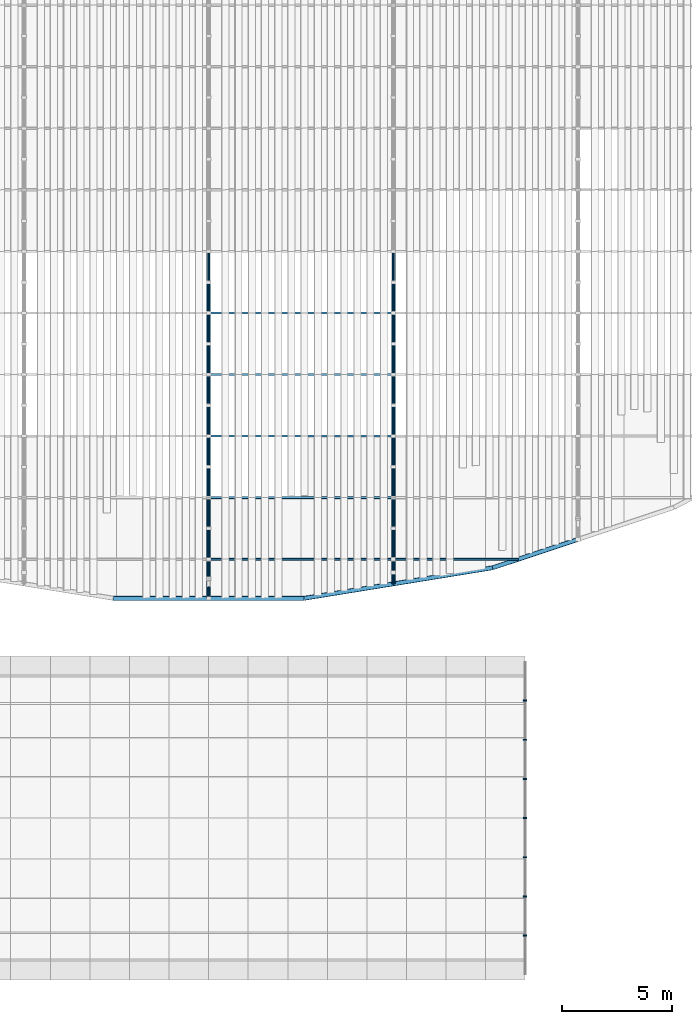
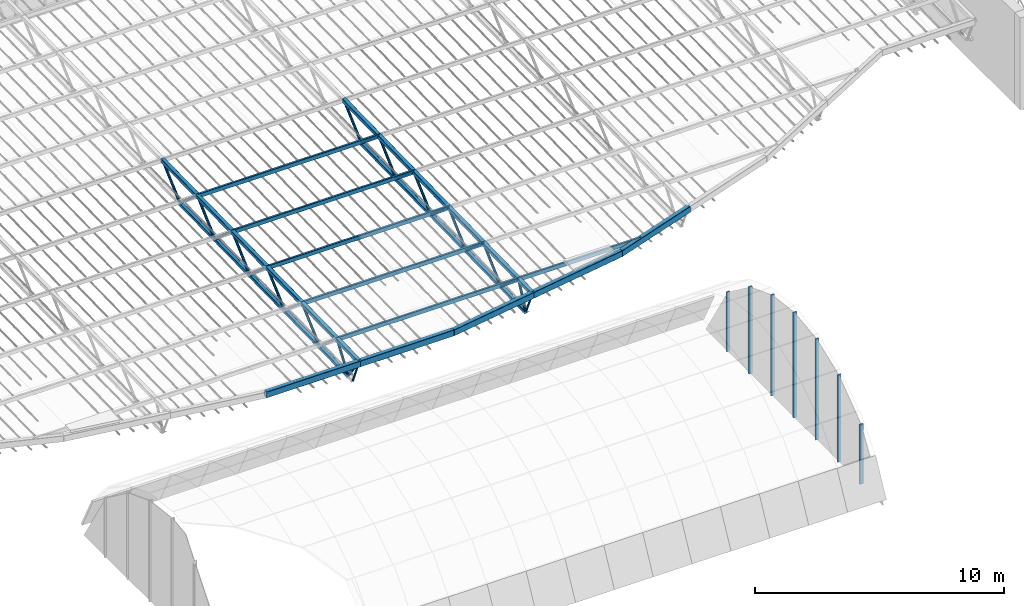
# One storey, part 26 of 129: 60 members, 5 beams, 1 element without a shape of its own.
"""IFC4 building model written with IfcOpenShell, lengths in metres."""

from ifc_helpers import new_model, si_unit, direction, frame, origin, origin_2d, place, context, subcontext, project, spatial, rectangle, hollow_rectangle, hollow_circle, extrude, material, layer, layer_set, material_profile, profile_set, type_object, element, aggregate, save


model = new_model("IFC4")

# Units and contexts
model_context = context("Model", 3, precision=1e-05, world=origin(), true_north=direction((0.0, 1.0)))
body_context = subcontext(model_context, "Body", "Model", "MODEL_VIEW")
ifc_project = project(units=[si_unit("LENGTHUNIT", "METRE"), si_unit("AREAUNIT", "SQUARE_METRE"), si_unit("VOLUMEUNIT", "CUBIC_METRE"), si_unit("PLANEANGLEUNIT", "RADIAN"), si_unit("MASSUNIT", "GRAM", prefix="KILO")], contexts=[model_context])

# Site, building, storey
site_placement = place(None, origin())
site = spatial("IfcSite", under=ifc_project, at=site_placement, CompositionType="ELEMENT")
building_placement = place(site_placement, origin())
building = spatial("IfcBuilding", under=site, at=building_placement, Name="Ardhachandra Cancer Care Centre", CompositionType="ELEMENT")
storey_placement = place(building_placement, frame((0.0, 0.0, 4.5)))
storey = spatial("IfcBuildingStorey", under=building, at=storey_placement, Name="L01", CompositionType="ELEMENT", Elevation=4.5)

# Members
ifc_material_1 = material(Name="Steel E350 (IS 2062)", Category="steel")
ifc_material_profile_1 = material_profile(ifc_material_1, hollow_rectangle(XDim=0.10009765625, YDim=0.199951171875, WallThickness=0.006103515625, InnerFilletRadius=0.006103515625, OuterFilletRadius=0.011962890625, at=origin_2d()), Name="RHS 200x100x6.0")
ifc_profile_set_1 = profile_set([ifc_material_profile_1], Name="Steel E350 (IS 2062)")
member_type_1 = type_object("IfcMemberType", Name="Canopy purlin RHS 200x100x6.0", PredefinedType="PURLIN", material=ifc_profile_set_1)
for number, where, z_axis, x_axis, name in (
    (1, (78.0, 37.375, 2.507568359375), (1.0, 0.0, 0.0), (0.0, 1.0, 0.0), "Canopy purlin 6-5"),
    (2, (78.0, 34.574951171875, 2.451416015625), (1.0, 0.0, 0.0), (0.0, 1.0, 0.0), "Canopy purlin 7-5"),
    (3, (78.0, 31.77490234375, 2.3955078125), (1.0, 0.0, 0.0), (0.0, 1.0, 0.0), "Canopy purlin 8-5"),
    (4, (78.0, 28.97509765625, 2.339599609375), (1.0, 0.0, 0.0), (0.0, 1.0, 0.0), "Canopy purlin 9-5"),
    (5, (78.0, 26.175048828125, 2.283447265625), (1.0, 0.0, 0.0), (0.0, 1.0, 0.0), "Canopy purlin 10-5"),
):
    element("IfcMember", number, at=place(storey_placement, frame(where, z_axis=z_axis, x_axis=x_axis)), inside=storey, type_object=member_type_1, Name=name, PredefinedType="PURLIN", context=body_context, shape_type="SweptSolid", body=[
        extrude(hollow_rectangle(XDim=0.10009765625, YDim=0.199951171875, WallThickness=0.006103515625, InnerFilletRadius=0.006103515625, OuterFilletRadius=0.011962890625, at=origin_2d()), origin(), (0.0, 0.0, 1.0), 8.39990234375),
    ])
member_1_placement = place(storey_placement, frame((86.39990234375, 26.175048828125, 2.283447265625), z_axis=(1.0, 0.0, 0.0), x_axis=(0.0, 1.0, 0.0)))
element("IfcMember", 6, at=member_1_placement, inside=storey, type_object=member_type_1, Name="Canopy purlin 10-6", PredefinedType="PURLIN", context=body_context, shape_type="SweptSolid", body=[
    extrude(hollow_rectangle(XDim=0.10009765625, YDim=0.199951171875, WallThickness=0.006103515625, InnerFilletRadius=0.006103515625, OuterFilletRadius=0.011962890625, at=origin_2d()), origin(), (0.0, 0.0, 1.0), 5.69091796875),
])

# Beams
ifc_material_2 = material(Name="Steel E350 (IS 2062)", Category="steel")
ifc_material_profile_2 = material_profile(ifc_material_2, hollow_rectangle(XDim=0.199951171875, YDim=0.300048828125, WallThickness=0.010009765625, InnerFilletRadius=0.010009765625, OuterFilletRadius=0.02001953125, at=origin_2d()), Name="RHS 300x200x10.0")
ifc_profile_set_2 = profile_set([ifc_material_profile_2], Name="Steel E350 (IS 2062)")
beam_type = type_object("IfcBeamType", Name="Canopy ring and eave beam RHS 300x200x10.0", PredefinedType="BEAM", material=ifc_profile_set_2)
for number, where, z_axis, x_axis, name in (
    (7, (73.65625, 24.396728515625, 2.197998046875), (1.0, 0.0, 0.0), (0.0, 1.0, 0.0), "Canopy ring beam 8"),
    (8, (78.0, 24.396728515625, 2.197998046875), (1.0, 0.0, 0.0), (0.0, 1.0, 0.0), "Canopy ring beam 9"),
):
    element("IfcBeam", number, at=place(storey_placement, frame(where, z_axis=z_axis, x_axis=x_axis)), inside=storey, type_object=beam_type, Name=name, PredefinedType="BEAM", context=body_context, shape_type="SweptSolid", body=[
        extrude(hollow_rectangle(XDim=0.199951171875, YDim=0.300048828125, WallThickness=0.010009765625, InnerFilletRadius=0.010009765625, OuterFilletRadius=0.02001953125, at=origin_2d()), origin(), (0.0, 0.0, 1.0), 4.34375),
    ])
beam_1_placement = place(storey_placement, frame((82.34375, 24.396728515625, 2.197998046875), z_axis=(0.987130066718, 0.159887264328, 0.003208440087), x_axis=(-0.159888087281, 0.987135147559, 0.0)))
element("IfcBeam", 9, at=beam_1_placement, inside=storey, type_object=beam_type, Name="Canopy ring beam 10", PredefinedType="BEAM", context=body_context, shape_type="SweptSolid", body=[
    extrude(hollow_rectangle(XDim=0.199951171875, YDim=0.300048828125, WallThickness=0.010009765625, InnerFilletRadius=0.010009765625, OuterFilletRadius=0.02001953125, at=origin_2d()), origin(), (0.0, 0.0, 1.0), 4.109130859375),
])
beam_2_placement = place(storey_placement, frame((86.39990234375, 25.0537109375, 2.211181640625), z_axis=(0.987137740135, 0.15984007264, 0.003198934076), x_axis=(-0.159840890482, 0.987142790953, 0.0)))
element("IfcBeam", 10, at=beam_2_placement, inside=storey, type_object=beam_type, Name="Canopy ring beam 11", PredefinedType="BEAM", context=body_context, shape_type="SweptSolid", body=[
    extrude(hollow_rectangle(XDim=0.199951171875, YDim=0.300048828125, WallThickness=0.010009765625, InnerFilletRadius=0.010009765625, OuterFilletRadius=0.02001953125, at=origin_2d()), origin(), (0.0, 0.0, 1.0), 4.5791015625),
])
beam_3_placement = place(storey_placement, frame((90.920166015625, 25.78564453125, 2.225830078125), z_axis=(0.948867463655, 0.315612472494, 0.006269260237), x_axis=(-0.315618675034, 0.948886111169, 0.0)))
element("IfcBeam", 11, at=beam_3_placement, inside=storey, type_object=beam_type, Name="Canopy ring beam 12", PredefinedType="BEAM", context=body_context, shape_type="SweptSolid", body=[
    extrude(hollow_rectangle(XDim=0.199951171875, YDim=0.300048828125, WallThickness=0.010009765625, InnerFilletRadius=0.010009765625, OuterFilletRadius=0.02001953125, at=origin_2d()), origin(), (0.0, 0.0, 1.0), 4.0888671875),
])

# Members
ifc_material_3 = material(Name="Steel E350 (IS 2062)", Category="steel")
ifc_material_profile_3 = material_profile(ifc_material_3, hollow_rectangle(XDim=0.14990234375, YDim=0.14990234375, WallThickness=0.006103515625, InnerFilletRadius=0.006103515625, OuterFilletRadius=0.011962890625, at=origin_2d()), Name="SHS 150x150x6.0")
ifc_profile_set_3 = profile_set([ifc_material_profile_3], Name="Steel E350 (IS 2062)")
member_type_2 = type_object("IfcMemberType", Name="Canopy truss bottom chord SHS 150x150x6.0", PredefinedType="CHORD", material=ifc_profile_set_3)
member_2_placement = place(storey_placement, frame((78.0, 38.77490234375, 1.310546875), z_axis=(0.0, -0.999798942946, -0.020051775103), x_axis=(1.0, 0.0, 0.0)))
element("IfcMember", 12, at=member_2_placement, inside=storey, type_object=member_type_2, Name="Canopy truss 5 bottom chord BC18", PredefinedType="CHORD", context=body_context, shape_type="SweptSolid", body=[
    extrude(hollow_rectangle(XDim=0.14990234375, YDim=0.14990234375, WallThickness=0.006103515625, InnerFilletRadius=0.006103515625, OuterFilletRadius=0.011962890625, at=origin_2d()), origin(), (0.0, 0.0, 1.0), 2.80029296875),
])
for number, where, z_axis, x_axis, name in (
    (13, (78.0, 35.97509765625, 1.25439453125), (0.0, -0.999800721691, -0.019962888244), (1.0, 0.0, 0.0), "Canopy truss 5 bottom chord BC19"),
    (14, (78.0, 33.175048828125, 1.198486328125), (0.0, -0.999800721691, -0.019962888244), (1.0, 0.0, 0.0), "Canopy truss 5 bottom chord BC20"),
    (15, (78.0, 30.375, 1.142578125), (0.0, -0.999798977995, -0.02005002746), (1.0, 0.0, 0.0), "Canopy truss 5 bottom chord BC21"),
):
    element("IfcMember", number, at=place(storey_placement, frame(where, z_axis=z_axis, x_axis=x_axis)), inside=storey, type_object=member_type_2, Name=name, PredefinedType="CHORD", context=body_context, shape_type="SweptSolid", body=[
        extrude(hollow_rectangle(XDim=0.14990234375, YDim=0.14990234375, WallThickness=0.006103515625, InnerFilletRadius=0.006103515625, OuterFilletRadius=0.011962890625, at=origin_2d()), origin(), (0.0, 0.0, 1.0), 2.800537109375),
    ])
member_3_placement = place(storey_placement, frame((78.0, 27.574951171875, 1.08642578125), z_axis=(0.0, -0.999801166995, -0.019940573616), x_axis=(1.0, 0.0, 0.0)))
element("IfcMember", 16, at=member_3_placement, inside=storey, type_object=member_type_2, Name="Canopy truss 5 bottom chord BC22", PredefinedType="CHORD", context=body_context, shape_type="SweptSolid", body=[
    extrude(hollow_rectangle(XDim=0.14990234375, YDim=0.14990234375, WallThickness=0.006103515625, InnerFilletRadius=0.006103515625, OuterFilletRadius=0.011962890625, at=origin_2d()), origin(), (0.0, 0.0, 1.0), 2.28955078125),
])
member_4_placement = place(storey_placement, frame((86.39990234375, 38.77490234375, 1.310546875), z_axis=(0.0, -0.999798942946, -0.020051775103), x_axis=(1.0, 0.0, 0.0)))
element("IfcMember", 17, at=member_4_placement, inside=storey, type_object=member_type_2, Name="Canopy truss 6 bottom chord BC18", PredefinedType="CHORD", context=body_context, shape_type="SweptSolid", body=[
    extrude(hollow_rectangle(XDim=0.14990234375, YDim=0.14990234375, WallThickness=0.006103515625, InnerFilletRadius=0.006103515625, OuterFilletRadius=0.011962890625, at=origin_2d()), origin(), (0.0, 0.0, 1.0), 2.80029296875),
])
for number, where, z_axis, x_axis, name in (
    (18, (86.39990234375, 35.97509765625, 1.25439453125), (0.0, -0.999800721691, -0.019962888244), (1.0, 0.0, 0.0), "Canopy truss 6 bottom chord BC19"),
    (19, (86.39990234375, 33.175048828125, 1.198486328125), (0.0, -0.999800721691, -0.019962888244), (1.0, 0.0, 0.0), "Canopy truss 6 bottom chord BC20"),
    (20, (86.39990234375, 30.375, 1.142578125), (0.0, -0.999798977995, -0.02005002746), (1.0, 0.0, 0.0), "Canopy truss 6 bottom chord BC21"),
):
    element("IfcMember", number, at=place(storey_placement, frame(where, z_axis=z_axis, x_axis=x_axis)), inside=storey, type_object=member_type_2, Name=name, PredefinedType="CHORD", context=body_context, shape_type="SweptSolid", body=[
        extrude(hollow_rectangle(XDim=0.14990234375, YDim=0.14990234375, WallThickness=0.006103515625, InnerFilletRadius=0.006103515625, OuterFilletRadius=0.011962890625, at=origin_2d()), origin(), (0.0, 0.0, 1.0), 2.800537109375),
    ])
member_5_placement = place(storey_placement, frame((86.39990234375, 27.574951171875, 1.08642578125), z_axis=(0.0, -0.999801418057, -0.019927981595), x_axis=(1.0, 0.0, 0.0)))
element("IfcMember", 21, at=member_5_placement, inside=storey, type_object=member_type_2, Name="Canopy truss 6 bottom chord BC22", PredefinedType="CHORD", context=body_context, shape_type="SweptSolid", body=[
    extrude(hollow_rectangle(XDim=0.14990234375, YDim=0.14990234375, WallThickness=0.006103515625, InnerFilletRadius=0.006103515625, OuterFilletRadius=0.011962890625, at=origin_2d()), origin(), (0.0, 0.0, 1.0), 2.00927734375),
])
ifc_material_4 = material(Name="Steel E350 (IS 2062)", Category="steel")
ifc_material_profile_4 = material_profile(ifc_material_4, hollow_circle(Radius=0.05712890625, WallThickness=0.0048828125, at=origin_2d()), Name="CHS 114.3x5.0")
ifc_profile_set_4 = profile_set([ifc_material_profile_4], Name="Steel E350 (IS 2062)")
member_type_3 = type_object("IfcMemberType", Name="Canopy truss diagonal CHS 114.3x5.0", PredefinedType="BRACE", material=ifc_profile_set_4)
member_6_placement = place(storey_placement, frame((78.0, 40.175048828125, 2.573486328125), z_axis=(0.0, -0.742553308775, -0.669786968839), x_axis=(1.0, 0.0, 0.0)))
element("IfcMember", 22, at=member_6_placement, inside=storey, type_object=member_type_3, Name="Canopy truss 5 web diagonal WD34", PredefinedType="BRACE", context=body_context, shape_type="SweptSolid", body=[
    extrude(hollow_circle(Radius=0.05712890625, WallThickness=0.0048828125, at=origin_2d()), origin(), (0.0, 0.0, 1.0), 1.885498046875),
])
member_7_placement = place(storey_placement, frame((78.0, 38.77490234375, 1.310546875), z_axis=(0.0, -0.757351396119, 0.653007551868), x_axis=(1.0, 0.0, 0.0)))
element("IfcMember", 23, at=member_7_placement, inside=storey, type_object=member_type_3, Name="Canopy truss 5 web diagonal WD35", PredefinedType="BRACE", context=body_context, shape_type="SweptSolid", body=[
    extrude(hollow_circle(Radius=0.05712890625, WallThickness=0.0048828125, at=origin_2d()), origin(), (0.0, 0.0, 1.0), 1.848388671875),
])
member_8_placement = place(storey_placement, frame((78.0, 37.375, 2.517578125), z_axis=(0.0, -0.742430813776, -0.669922746857), x_axis=(1.0, 0.0, 0.0)))
element("IfcMember", 24, at=member_8_placement, inside=storey, type_object=member_type_3, Name="Canopy truss 5 web diagonal WD36", PredefinedType="BRACE", context=body_context, shape_type="SweptSolid", body=[
    extrude(hollow_circle(Radius=0.05712890625, WallThickness=0.0048828125, at=origin_2d()), origin(), (0.0, 0.0, 1.0), 1.885498046875),
])
member_9_placement = place(storey_placement, frame((78.0, 35.97509765625, 1.25439453125), z_axis=(0.0, -0.75740770942, 0.65294223459), x_axis=(1.0, 0.0, 0.0)))
element("IfcMember", 25, at=member_9_placement, inside=storey, type_object=member_type_3, Name="Canopy truss 5 web diagonal WD37", PredefinedType="BRACE", context=body_context, shape_type="SweptSolid", body=[
    extrude(hollow_circle(Radius=0.05712890625, WallThickness=0.0048828125, at=origin_2d()), origin(), (0.0, 0.0, 1.0), 1.8486328125),
])
member_10_placement = place(storey_placement, frame((78.0, 34.574951171875, 2.46142578125), z_axis=(0.0, -0.742495214915, -0.669851368461), x_axis=(1.0, 0.0, 0.0)))
element("IfcMember", 26, at=member_10_placement, inside=storey, type_object=member_type_3, Name="Canopy truss 5 web diagonal WD38", PredefinedType="BRACE", context=body_context, shape_type="SweptSolid", body=[
    extrude(hollow_circle(Radius=0.05712890625, WallThickness=0.0048828125, at=origin_2d()), origin(), (0.0, 0.0, 1.0), 1.885498046875),
])
member_11_placement = place(storey_placement, frame((78.0, 33.175048828125, 1.198486328125), z_axis=(0.0, -0.75740770942, 0.65294223459), x_axis=(1.0, 0.0, 0.0)))
element("IfcMember", 27, at=member_11_placement, inside=storey, type_object=member_type_3, Name="Canopy truss 5 web diagonal WD39", PredefinedType="BRACE", context=body_context, shape_type="SweptSolid", body=[
    extrude(hollow_circle(Radius=0.05712890625, WallThickness=0.0048828125, at=origin_2d()), origin(), (0.0, 0.0, 1.0), 1.8486328125),
])
member_12_placement = place(storey_placement, frame((78.0, 31.77490234375, 2.405517578125), z_axis=(0.0, -0.742495214915, -0.669851368461), x_axis=(1.0, 0.0, 0.0)))
element("IfcMember", 28, at=member_12_placement, inside=storey, type_object=member_type_3, Name="Canopy truss 5 web diagonal WD40", PredefinedType="BRACE", context=body_context, shape_type="SweptSolid", body=[
    extrude(hollow_circle(Radius=0.05712890625, WallThickness=0.0048828125, at=origin_2d()), origin(), (0.0, 0.0, 1.0), 1.885498046875),
])
member_13_placement = place(storey_placement, frame((78.0, 30.375, 1.142578125), z_axis=(0.0, -0.757351396119, 0.653007551868), x_axis=(1.0, 0.0, 0.0)))
element("IfcMember", 29, at=member_13_placement, inside=storey, type_object=member_type_3, Name="Canopy truss 5 web diagonal WD41", PredefinedType="BRACE", context=body_context, shape_type="SweptSolid", body=[
    extrude(hollow_circle(Radius=0.05712890625, WallThickness=0.0048828125, at=origin_2d()), origin(), (0.0, 0.0, 1.0), 1.848388671875),
])
member_14_placement = place(storey_placement, frame((78.0, 28.97509765625, 2.349609375), z_axis=(0.0, -0.742488914979, -0.669858351544), x_axis=(1.0, 0.0, 0.0)))
element("IfcMember", 30, at=member_14_placement, inside=storey, type_object=member_type_3, Name="Canopy truss 5 web diagonal WD42", PredefinedType="BRACE", context=body_context, shape_type="SweptSolid", body=[
    extrude(hollow_circle(Radius=0.05712890625, WallThickness=0.0048828125, at=origin_2d()), origin(), (0.0, 0.0, 1.0), 1.8857421875),
])
member_15_placement = place(storey_placement, frame((78.0, 27.574951171875, 1.08642578125), z_axis=(0.0, -0.757351396119, 0.653007551868), x_axis=(1.0, 0.0, 0.0)))
element("IfcMember", 31, at=member_15_placement, inside=storey, type_object=member_type_3, Name="Canopy truss 5 web diagonal WD43", PredefinedType="BRACE", context=body_context, shape_type="SweptSolid", body=[
    extrude(hollow_circle(Radius=0.05712890625, WallThickness=0.0048828125, at=origin_2d()), origin(), (0.0, 0.0, 1.0), 1.848388671875),
])
member_16_placement = place(storey_placement, frame((78.0, 26.175048828125, 2.29345703125), z_axis=(0.0, -0.57881519441, -0.815458748632), x_axis=(1.0, 0.0, 0.0)))
element("IfcMember", 32, at=member_16_placement, inside=storey, type_object=member_type_3, Name="Canopy truss 5 web diagonal WD44", PredefinedType="BRACE", context=body_context, shape_type="SweptSolid", body=[
    extrude(hollow_circle(Radius=0.05712890625, WallThickness=0.0048828125, at=origin_2d()), origin(), (0.0, 0.0, 1.0), 1.5361328125),
])
member_17_placement = place(storey_placement, frame((78.0, 25.285888671875, 1.040771484375), z_axis=(0.0, -0.589923178712, 0.807459375584), x_axis=(1.0, 0.0, 0.0)))
element("IfcMember", 33, at=member_17_placement, inside=storey, type_object=member_type_3, Name="Canopy truss 5 web diagonal WD45", PredefinedType="BRACE", context=body_context, shape_type="SweptSolid", body=[
    extrude(hollow_circle(Radius=0.05712890625, WallThickness=0.0048828125, at=origin_2d()), origin(), (0.0, 0.0, 1.0), 1.50732421875),
])
member_18_placement = place(storey_placement, frame((86.39990234375, 40.175048828125, 2.573486328125), z_axis=(0.0, -0.742553308775, -0.669786968839), x_axis=(1.0, 0.0, 0.0)))
element("IfcMember", 34, at=member_18_placement, inside=storey, type_object=member_type_3, Name="Canopy truss 6 web diagonal WD33", PredefinedType="BRACE", context=body_context, shape_type="SweptSolid", body=[
    extrude(hollow_circle(Radius=0.05712890625, WallThickness=0.0048828125, at=origin_2d()), origin(), (0.0, 0.0, 1.0), 1.885498046875),
])
member_19_placement = place(storey_placement, frame((86.39990234375, 38.77490234375, 1.310546875), z_axis=(0.0, -0.757351396119, 0.653007551868), x_axis=(1.0, 0.0, 0.0)))
element("IfcMember", 35, at=member_19_placement, inside=storey, type_object=member_type_3, Name="Canopy truss 6 web diagonal WD34", PredefinedType="BRACE", context=body_context, shape_type="SweptSolid", body=[
    extrude(hollow_circle(Radius=0.05712890625, WallThickness=0.0048828125, at=origin_2d()), origin(), (0.0, 0.0, 1.0), 1.848388671875),
])
member_20_placement = place(storey_placement, frame((86.39990234375, 37.375, 2.517578125), z_axis=(0.0, -0.742430813776, -0.669922746857), x_axis=(1.0, 0.0, 0.0)))
element("IfcMember", 36, at=member_20_placement, inside=storey, type_object=member_type_3, Name="Canopy truss 6 web diagonal WD35", PredefinedType="BRACE", context=body_context, shape_type="SweptSolid", body=[
    extrude(hollow_circle(Radius=0.05712890625, WallThickness=0.0048828125, at=origin_2d()), origin(), (0.0, 0.0, 1.0), 1.885498046875),
])
member_21_placement = place(storey_placement, frame((86.39990234375, 35.97509765625, 1.25439453125), z_axis=(0.0, -0.75740770942, 0.65294223459), x_axis=(1.0, 0.0, 0.0)))
element("IfcMember", 37, at=member_21_placement, inside=storey, type_object=member_type_3, Name="Canopy truss 6 web diagonal WD36", PredefinedType="BRACE", context=body_context, shape_type="SweptSolid", body=[
    extrude(hollow_circle(Radius=0.05712890625, WallThickness=0.0048828125, at=origin_2d()), origin(), (0.0, 0.0, 1.0), 1.8486328125),
])
member_22_placement = place(storey_placement, frame((86.39990234375, 34.574951171875, 2.46142578125), z_axis=(0.0, -0.742495214915, -0.669851368461), x_axis=(1.0, 0.0, 0.0)))
element("IfcMember", 38, at=member_22_placement, inside=storey, type_object=member_type_3, Name="Canopy truss 6 web diagonal WD37", PredefinedType="BRACE", context=body_context, shape_type="SweptSolid", body=[
    extrude(hollow_circle(Radius=0.05712890625, WallThickness=0.0048828125, at=origin_2d()), origin(), (0.0, 0.0, 1.0), 1.885498046875),
])
member_23_placement = place(storey_placement, frame((86.39990234375, 33.175048828125, 1.198486328125), z_axis=(0.0, -0.75740770942, 0.65294223459), x_axis=(1.0, 0.0, 0.0)))
element("IfcMember", 39, at=member_23_placement, inside=storey, type_object=member_type_3, Name="Canopy truss 6 web diagonal WD38", PredefinedType="BRACE", context=body_context, shape_type="SweptSolid", body=[
    extrude(hollow_circle(Radius=0.05712890625, WallThickness=0.0048828125, at=origin_2d()), origin(), (0.0, 0.0, 1.0), 1.8486328125),
])
member_24_placement = place(storey_placement, frame((86.39990234375, 31.77490234375, 2.405517578125), z_axis=(0.0, -0.742495214915, -0.669851368461), x_axis=(1.0, 0.0, 0.0)))
element("IfcMember", 40, at=member_24_placement, inside=storey, type_object=member_type_3, Name="Canopy truss 6 web diagonal WD39", PredefinedType="BRACE", context=body_context, shape_type="SweptSolid", body=[
    extrude(hollow_circle(Radius=0.05712890625, WallThickness=0.0048828125, at=origin_2d()), origin(), (0.0, 0.0, 1.0), 1.885498046875),
])
member_25_placement = place(storey_placement, frame((86.39990234375, 30.375, 1.142578125), z_axis=(0.0, -0.757351396119, 0.653007551868), x_axis=(1.0, 0.0, 0.0)))
element("IfcMember", 41, at=member_25_placement, inside=storey, type_object=member_type_3, Name="Canopy truss 6 web diagonal WD40", PredefinedType="BRACE", context=body_context, shape_type="SweptSolid", body=[
    extrude(hollow_circle(Radius=0.05712890625, WallThickness=0.0048828125, at=origin_2d()), origin(), (0.0, 0.0, 1.0), 1.848388671875),
])
member_26_placement = place(storey_placement, frame((86.39990234375, 28.97509765625, 2.349609375), z_axis=(0.0, -0.742488914979, -0.669858351544), x_axis=(1.0, 0.0, 0.0)))
element("IfcMember", 42, at=member_26_placement, inside=storey, type_object=member_type_3, Name="Canopy truss 6 web diagonal WD41", PredefinedType="BRACE", context=body_context, shape_type="SweptSolid", body=[
    extrude(hollow_circle(Radius=0.05712890625, WallThickness=0.0048828125, at=origin_2d()), origin(), (0.0, 0.0, 1.0), 1.8857421875),
])
member_27_placement = place(storey_placement, frame((86.39990234375, 27.574951171875, 1.08642578125), z_axis=(0.0, -0.757351396119, 0.653007551868), x_axis=(1.0, 0.0, 0.0)))
element("IfcMember", 43, at=member_27_placement, inside=storey, type_object=member_type_3, Name="Canopy truss 6 web diagonal WD42", PredefinedType="BRACE", context=body_context, shape_type="SweptSolid", body=[
    extrude(hollow_circle(Radius=0.05712890625, WallThickness=0.0048828125, at=origin_2d()), origin(), (0.0, 0.0, 1.0), 1.848388671875),
])
member_28_placement = place(storey_placement, frame((86.39990234375, 26.175048828125, 2.29345703125), z_axis=(0.0, -0.438749409701, -0.898609456598), x_axis=(1.0, 0.0, 0.0)))
element("IfcMember", 44, at=member_28_placement, inside=storey, type_object=member_type_3, Name="Canopy truss 6 web diagonal WD43", PredefinedType="BRACE", context=body_context, shape_type="SweptSolid", body=[
    extrude(hollow_circle(Radius=0.05712890625, WallThickness=0.0048828125, at=origin_2d()), origin(), (0.0, 0.0, 1.0), 1.3876953125),
])
ifc_material_5 = material(Name="Steel E350 (IS 2062)", Category="steel")
ifc_material_profile_5 = material_profile(ifc_material_5, hollow_circle(Radius=0.04443359375, WallThickness=0.00390625, at=origin_2d()), Name="CHS 88.9x4.0")
ifc_profile_set_5 = profile_set([ifc_material_profile_5], Name="Steel E350 (IS 2062)")
member_type_4 = type_object("IfcMemberType", Name="Canopy truss post CHS 88.9x4.0", PredefinedType="POST", material=ifc_profile_set_5)
member_29_placement = place(storey_placement, frame((78.0, 24.396728515625, 2.2578125), z_axis=(0.0, 0.381722519916, -0.924276970279), x_axis=(-1.0, 0.0, 0.0)))
element("IfcMember", 45, at=member_29_placement, inside=storey, type_object=member_type_4, Name="Canopy truss 5 web vertical WV47", PredefinedType="POST", context=body_context, shape_type="SweptSolid", body=[
    extrude(hollow_circle(Radius=0.04443359375, WallThickness=0.00390625, at=origin_2d()), origin(), (0.0, 0.0, 1.0), 1.3251953125),
])
member_30_placement = place(storey_placement, frame((86.39990234375, 25.0537109375, 2.27099609375), z_axis=(0.0, 0.386025268454, -0.922488207033), x_axis=(-1.0, 0.0, 0.0)))
element("IfcMember", 46, at=member_30_placement, inside=storey, type_object=member_type_4, Name="Canopy truss 6 web vertical WV45", PredefinedType="POST", context=body_context, shape_type="SweptSolid", body=[
    extrude(hollow_circle(Radius=0.04443359375, WallThickness=0.00390625, at=origin_2d()), origin(), (0.0, 0.0, 1.0), 1.327392578125),
])
ifc_material_6 = material(Name="Steel E350 (IS 2062)", Category="steel")
ifc_material_profile_6 = material_profile(ifc_material_6, hollow_rectangle(XDim=0.179931640625, YDim=0.179931640625, WallThickness=0.008056640625, InnerFilletRadius=0.008056640625, OuterFilletRadius=0.01611328125, at=origin_2d()), Name="SHS 180x180x8.0")
ifc_profile_set_6 = profile_set([ifc_material_profile_6], Name="Steel E350 (IS 2062)")
member_type_5 = type_object("IfcMemberType", Name="Canopy truss top chord SHS 180x180x8.0", PredefinedType="CHORD", material=ifc_profile_set_6)
for number, where, z_axis, x_axis, name in (
    (47, (78.0, 40.175048828125, 2.573486328125), (0.0, -0.999800721691, -0.019962888244), (1.0, 0.0, 0.0), "Canopy truss 5 top chord TC6"),
    (48, (78.0, 37.375, 2.517578125), (0.0, -0.999798977995, -0.02005002746), (1.0, 0.0, 0.0), "Canopy truss 5 top chord TC7"),
    (49, (78.0, 34.574951171875, 2.46142578125), (0.0, -0.999800721691, -0.019962888244), (1.0, 0.0, 0.0), "Canopy truss 5 top chord TC8"),
):
    element("IfcMember", number, at=place(storey_placement, frame(where, z_axis=z_axis, x_axis=x_axis)), inside=storey, type_object=member_type_5, Name=name, PredefinedType="CHORD", context=body_context, shape_type="SweptSolid", body=[
        extrude(hollow_rectangle(XDim=0.179931640625, YDim=0.179931640625, WallThickness=0.008056640625, InnerFilletRadius=0.008056640625, OuterFilletRadius=0.01611328125, at=origin_2d()), origin(), (0.0, 0.0, 1.0), 2.800537109375),
    ])
member_31_placement = place(storey_placement, frame((78.0, 31.77490234375, 2.405517578125), z_axis=(0.0, -0.999800686946, -0.019964628297), x_axis=(1.0, 0.0, 0.0)))
element("IfcMember", 50, at=member_31_placement, inside=storey, type_object=member_type_5, Name="Canopy truss 5 top chord TC9", PredefinedType="CHORD", context=body_context, shape_type="SweptSolid", body=[
    extrude(hollow_rectangle(XDim=0.179931640625, YDim=0.179931640625, WallThickness=0.008056640625, InnerFilletRadius=0.008056640625, OuterFilletRadius=0.01611328125, at=origin_2d()), origin(), (0.0, 0.0, 1.0), 2.80029296875),
])
member_32_placement = place(storey_placement, frame((78.0, 28.97509765625, 2.349609375), z_axis=(0.0, -0.999798977995, -0.02005002746), x_axis=(1.0, 0.0, 0.0)))
element("IfcMember", 51, at=member_32_placement, inside=storey, type_object=member_type_5, Name="Canopy truss 5 top chord TC10", PredefinedType="CHORD", context=body_context, shape_type="SweptSolid", body=[
    extrude(hollow_rectangle(XDim=0.179931640625, YDim=0.179931640625, WallThickness=0.008056640625, InnerFilletRadius=0.008056640625, OuterFilletRadius=0.01611328125, at=origin_2d()), origin(), (0.0, 0.0, 1.0), 2.800537109375),
])
member_33_placement = place(storey_placement, frame((78.0, 26.175048828125, 2.29345703125), z_axis=(0.0, -0.999799180906, -0.020039906701), x_axis=(1.0, 0.0, 0.0)))
element("IfcMember", 52, at=member_33_placement, inside=storey, type_object=member_type_5, Name="Canopy truss 5 top chord TC11", PredefinedType="CHORD", context=body_context, shape_type="SweptSolid", body=[
    extrude(hollow_rectangle(XDim=0.179931640625, YDim=0.179931640625, WallThickness=0.008056640625, InnerFilletRadius=0.008056640625, OuterFilletRadius=0.01611328125, at=origin_2d()), origin(), (0.0, 0.0, 1.0), 1.778564453125),
])
for number, where, z_axis, x_axis, name in (
    (53, (86.39990234375, 40.175048828125, 2.573486328125), (0.0, -0.999800721691, -0.019962888244), (1.0, 0.0, 0.0), "Canopy truss 6 top chord TC6"),
    (54, (86.39990234375, 37.375, 2.517578125), (0.0, -0.999798977995, -0.02005002746), (1.0, 0.0, 0.0), "Canopy truss 6 top chord TC7"),
    (55, (86.39990234375, 34.574951171875, 2.46142578125), (0.0, -0.999800721691, -0.019962888244), (1.0, 0.0, 0.0), "Canopy truss 6 top chord TC8"),
):
    element("IfcMember", number, at=place(storey_placement, frame(where, z_axis=z_axis, x_axis=x_axis)), inside=storey, type_object=member_type_5, Name=name, PredefinedType="CHORD", context=body_context, shape_type="SweptSolid", body=[
        extrude(hollow_rectangle(XDim=0.179931640625, YDim=0.179931640625, WallThickness=0.008056640625, InnerFilletRadius=0.008056640625, OuterFilletRadius=0.01611328125, at=origin_2d()), origin(), (0.0, 0.0, 1.0), 2.800537109375),
    ])
member_34_placement = place(storey_placement, frame((86.39990234375, 31.77490234375, 2.405517578125), z_axis=(0.0, -0.999800686946, -0.019964628297), x_axis=(1.0, 0.0, 0.0)))
element("IfcMember", 56, at=member_34_placement, inside=storey, type_object=member_type_5, Name="Canopy truss 6 top chord TC9", PredefinedType="CHORD", context=body_context, shape_type="SweptSolid", body=[
    extrude(hollow_rectangle(XDim=0.179931640625, YDim=0.179931640625, WallThickness=0.008056640625, InnerFilletRadius=0.008056640625, OuterFilletRadius=0.01611328125, at=origin_2d()), origin(), (0.0, 0.0, 1.0), 2.80029296875),
])
member_35_placement = place(storey_placement, frame((86.39990234375, 28.97509765625, 2.349609375), z_axis=(0.0, -0.999798977995, -0.02005002746), x_axis=(1.0, 0.0, 0.0)))
element("IfcMember", 57, at=member_35_placement, inside=storey, type_object=member_type_5, Name="Canopy truss 6 top chord TC10", PredefinedType="CHORD", context=body_context, shape_type="SweptSolid", body=[
    extrude(hollow_rectangle(XDim=0.179931640625, YDim=0.179931640625, WallThickness=0.008056640625, InnerFilletRadius=0.008056640625, OuterFilletRadius=0.01611328125, at=origin_2d()), origin(), (0.0, 0.0, 1.0), 2.800537109375),
])
member_36_placement = place(storey_placement, frame((86.39990234375, 26.175048828125, 2.29345703125), z_axis=(0.0, -0.999799450259, -0.020026464059), x_axis=(1.0, 0.0, 0.0)))
element("IfcMember", 58, at=member_36_placement, inside=storey, type_object=member_type_5, Name="Canopy truss 6 top chord TC11", PredefinedType="CHORD", context=body_context, shape_type="SweptSolid", body=[
    extrude(hollow_rectangle(XDim=0.179931640625, YDim=0.179931640625, WallThickness=0.008056640625, InnerFilletRadius=0.008056640625, OuterFilletRadius=0.01611328125, at=origin_2d()), origin(), (0.0, 0.0, 1.0), 1.12158203125),
])

# Curtain wall, members
ifc_material_7 = material(Name="Aluminium extrusion", Category="aluminium")
ifc_layer = layer(ifc_material_7, 0.14990234375)
ifc_layer_set = layer_set([ifc_layer], Name="Aluminium extrusion")
curtain_wall_type = type_object("IfcCurtainWallType", Name="Curtain wall run", PredefinedType="NOTDEFINED", material=ifc_layer_set)
curtain_wall_placement = place(storey_placement, origin())
curtain_wall = element("IfcCurtainWall", 59, at=curtain_wall_placement, inside=storey, type_object=curtain_wall_type, Name="Gable glazing e", PredefinedType="NOTDEFINED")
ifc_material_8 = material(Name="Aluminium extrusion", Category="aluminium")
ifc_material_profile_7 = material_profile(ifc_material_8, rectangle(XDim=0.159912109375, YDim=0.06005859375, at=origin_2d()), Name="Curtain wall mullion 60 x 160")
ifc_profile_set_7 = profile_set([ifc_material_profile_7], Name="Aluminium extrusion")
member_type_6 = type_object("IfcMemberType", Name="Curtain wall mullion 60 x 160", PredefinedType="MULLION", material=ifc_profile_set_7)
member_37_placement = place(storey_placement, frame((92.39990234375, 9.054443359375, 0.550048828125), z_axis=(0.0, 0.0, 1.0), x_axis=(-1.0, 0.0, 0.0)))
member_37 = element("IfcMember", 60, at=member_37_placement, type_object=member_type_6, Name="Gable mullion e 2", PredefinedType="MULLION", context=body_context, shape_type="SweptSolid", body=[
    extrude(rectangle(XDim=0.159912109375, YDim=0.06005859375, at=origin_2d()), origin(), (0.0, 0.0, 1.0), 2.926513671875),
])
member_38_placement = place(storey_placement, frame((92.39990234375, 10.836181640625, 0.550048828125), z_axis=(0.0, 0.0, 1.0), x_axis=(-1.0, 0.0, 0.0)))
member_38 = element("IfcMember", 61, at=member_38_placement, type_object=member_type_6, Name="Gable mullion e 3", PredefinedType="MULLION", context=body_context, shape_type="SweptSolid", body=[
    extrude(rectangle(XDim=0.159912109375, YDim=0.06005859375, at=origin_2d()), origin(), (0.0, 0.0, 1.0), 4.26513671875),
])
member_39_placement = place(storey_placement, frame((92.39990234375, 12.6181640625, 0.550048828125), z_axis=(0.0, 0.0, 1.0), x_axis=(-1.0, 0.0, 0.0)))
member_39 = element("IfcMember", 62, at=member_39_placement, type_object=member_type_6, Name="Gable mullion e 4", PredefinedType="MULLION", context=body_context, shape_type="SweptSolid", body=[
    extrude(rectangle(XDim=0.159912109375, YDim=0.06005859375, at=origin_2d()), origin(), (0.0, 0.0, 1.0), 4.951171875),
])
member_40_placement = place(storey_placement, frame((92.39990234375, 14.39990234375, 0.550048828125), z_axis=(0.0, 0.0, 1.0), x_axis=(-1.0, 0.0, 0.0)))
member_40 = element("IfcMember", 63, at=member_40_placement, type_object=member_type_6, Name="Gable mullion e 5", PredefinedType="MULLION", context=body_context, shape_type="SweptSolid", body=[
    extrude(rectangle(XDim=0.159912109375, YDim=0.06005859375, at=origin_2d()), origin(), (0.0, 0.0, 1.0), 5.165771484375),
])
member_41_placement = place(storey_placement, frame((92.39990234375, 16.181884765625, 0.550048828125), z_axis=(0.0, 0.0, 1.0), x_axis=(-1.0, 0.0, 0.0)))
member_41 = element("IfcMember", 64, at=member_41_placement, type_object=member_type_6, Name="Gable mullion e 6", PredefinedType="MULLION", context=body_context, shape_type="SweptSolid", body=[
    extrude(rectangle(XDim=0.159912109375, YDim=0.06005859375, at=origin_2d()), origin(), (0.0, 0.0, 1.0), 4.951171875),
])
member_42_placement = place(storey_placement, frame((92.39990234375, 17.963623046875, 0.550048828125), z_axis=(0.0, 0.0, 1.0), x_axis=(-1.0, 0.0, 0.0)))
member_42 = element("IfcMember", 65, at=member_42_placement, type_object=member_type_6, Name="Gable mullion e 7", PredefinedType="MULLION", context=body_context, shape_type="SweptSolid", body=[
    extrude(rectangle(XDim=0.159912109375, YDim=0.06005859375, at=origin_2d()), origin(), (0.0, 0.0, 1.0), 4.26513671875),
])
member_43_placement = place(storey_placement, frame((92.39990234375, 19.74560546875, 0.550048828125), z_axis=(0.0, 0.0, 1.0), x_axis=(-1.0, 0.0, 0.0)))
member_43 = element("IfcMember", 66, at=member_43_placement, type_object=member_type_6, Name="Gable mullion e 8", PredefinedType="MULLION", context=body_context, shape_type="SweptSolid", body=[
    extrude(rectangle(XDim=0.159912109375, YDim=0.06005859375, at=origin_2d()), origin(), (0.0, 0.0, 1.0), 2.926513671875),
])
aggregate(curtain_wall, [member_37, member_38, member_39, member_40, member_41, member_42, member_43])

save(model, "model.ifc")
